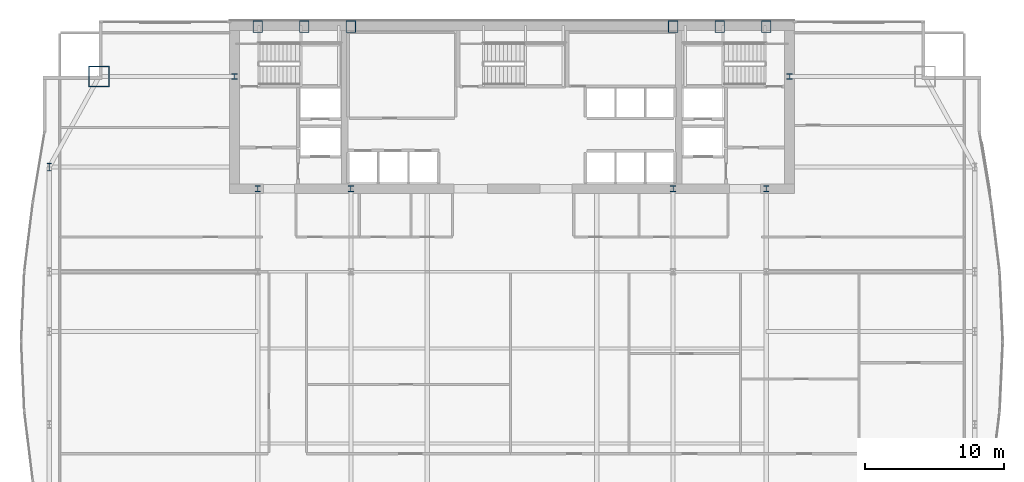
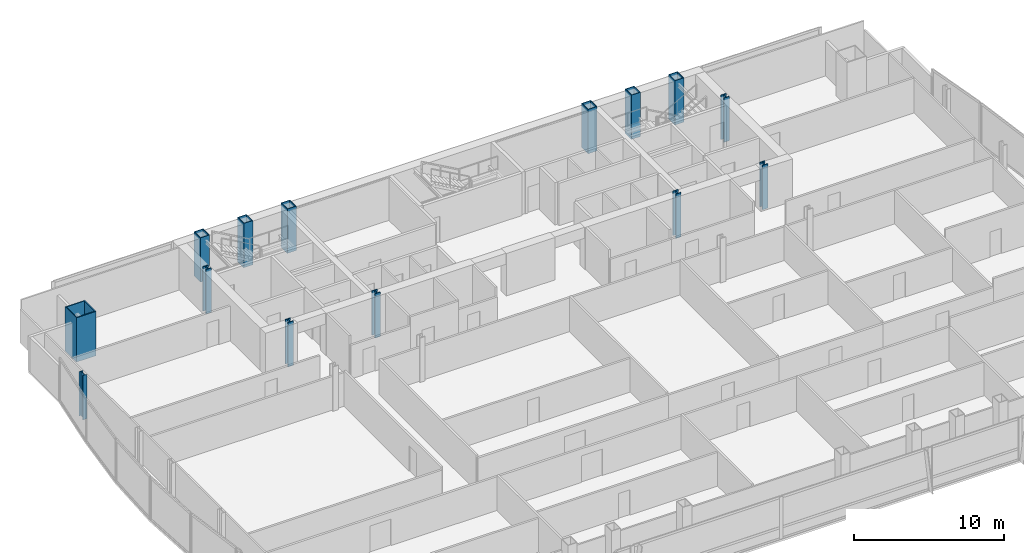
# One storey, part 3 of 31: 14 columns.
"""IFC4 building model written with IfcOpenShell, lengths in metres."""

from ifc_helpers import new_model, si_unit, direction, frame, origin, origin_2d, place, context, subcontext, project, spatial, hollow_rectangle, i_section, extrude, material, material_profile, profile_set, type_object, element, save


model = new_model("IFC4")

# Units and contexts
model_context = context("Model", 3, precision=1e-05, world=origin(), true_north=direction((0.0, 1.0)))
body_context = subcontext(model_context, "Body", "Model", "MODEL_VIEW")
ifc_project = project(units=[si_unit("LENGTHUNIT", "METRE"), si_unit("AREAUNIT", "SQUARE_METRE"), si_unit("VOLUMEUNIT", "CUBIC_METRE"), si_unit("PLANEANGLEUNIT", "RADIAN"), si_unit("MASSUNIT", "GRAM", prefix="KILO")], contexts=[model_context])

# Site, building, storey
site_placement = place(None, origin())
site = spatial("IfcSite", under=ifc_project, at=site_placement, CompositionType="ELEMENT")
building_placement = place(site_placement, origin())
building = spatial("IfcBuilding", under=site, at=building_placement, Name="Khoronbel Lancet Exchange", CompositionType="ELEMENT")
storey_placement = place(building_placement, frame((0.0, 0.0, 121.800048828125)))
storey = spatial("IfcBuildingStorey", under=building, at=storey_placement, Name="L29", CompositionType="ELEMENT", Elevation=121.800048828125)

# Columns
ifc_material_1 = material(Name="Steel S460", Category="steel")
ifc_material_profile_1 = material_profile(ifc_material_1, hollow_rectangle(XDim=0.699951171875, YDim=0.85009765625, WallThickness=0.050048828125, at=origin_2d()), Name="BOX 850x700x50")
ifc_profile_set_1 = profile_set([ifc_material_profile_1], Name="Steel S460")
column_type_1 = type_object("IfcColumnType", Name="COL-EC2", PredefinedType="COLUMN", material=ifc_profile_set_1)
for number, where, z_axis, x_axis, name in (
    (1, (18.22509765625, 53.280029296875, 0.0), (0.0, 0.0, 1.0), (1.0, 0.0, 0.0), "Structural column NC-W1 L29"),
    (2, (21.5625, 53.280029296875, 0.0), (0.0, 0.0, 1.0), (1.0, 0.0, 0.0), "Structural column NC-WM L29"),
    (3, (24.89990234375, 53.280029296875, 0.0), (0.0, 0.0, 1.0), (1.0, 0.0, 0.0), "Structural column NC-W2 L29"),
    (4, (48.0, 53.280029296875, 0.0), (0.0, 0.0, 1.0), (1.0, 0.0, 0.0), "Structural column NC-E1 L29"),
    (5, (51.33740234375, 53.280029296875, 0.0), (0.0, 0.0, 1.0), (1.0, 0.0, 0.0), "Structural column NC-EM L29"),
    (6, (54.675048828125, 53.280029296875, 0.0), (0.0, 0.0, 1.0), (1.0, 0.0, 0.0), "Structural column NC-E2 L29"),
):
    element("IfcColumn", number, at=place(storey_placement, frame(where, z_axis=z_axis, x_axis=x_axis)), inside=storey, type_object=column_type_1, Name=name, PredefinedType="COLUMN", context=body_context, shape_type="SweptSolid", body=[
        extrude(hollow_rectangle(XDim=0.699951171875, YDim=0.85009765625, WallThickness=0.050048828125, at=origin_2d()), origin(), (0.0, 0.0, 1.0), 3.599853515625),
    ])
ifc_material_profile_2 = material_profile(ifc_material_1, i_section(OverallWidth=0.416015625, OverallDepth=0.446044921875, WebThickness=0.0390625, FlangeThickness=0.062744140625, at=origin_2d()), Name="HD 400x509")
ifc_profile_set_2 = profile_set([ifc_material_profile_2], Name="Steel S460")
column_type_2 = type_object("IfcColumnType", Name="COL-IC2", PredefinedType="COLUMN", material=ifc_profile_set_2)
for number, where, z_axis, x_axis, name in (
    (7, (16.550048828125, 49.699951171875, 0.0), (0.0, 0.0, 1.0), (1.0, 0.0, 0.0), "Core-flank plumb transfer column CFW L29"),
    (8, (56.35009765625, 49.699951171875, 0.0), (0.0, 0.0, 1.0), (1.0, 0.0, 0.0), "Core-flank plumb transfer column CFE L29"),
    (9, (18.22509765625, 41.64990234375, 0.0), (0.0, 0.0, 1.0), (1.0, 0.0, 0.0), "Core-embedded steel column CTC1 L29"),
    (10, (24.89990234375, 41.64990234375, 0.0), (0.0, 0.0, 1.0), (1.0, 0.0, 0.0), "Core-embedded steel column CTC2 L29"),
    (11, (48.0, 41.64990234375, 0.0), (0.0, 0.0, 1.0), (1.0, 0.0, 0.0), "Core-embedded steel column CTC3 L29"),
    (12, (54.675048828125, 41.64990234375, 0.0), (0.0, 0.0, 1.0), (1.0, 0.0, 0.0), "Core-embedded steel column CTC4 L29"),
):
    element("IfcColumn", number, at=place(storey_placement, frame(where, z_axis=z_axis, x_axis=x_axis)), inside=storey, type_object=column_type_2, Name=name, PredefinedType="COLUMN", context=body_context, shape_type="SweptSolid", body=[
        extrude(i_section(OverallWidth=0.416015625, OverallDepth=0.446044921875, WebThickness=0.0390625, FlangeThickness=0.062744140625, at=origin_2d()), origin(), (0.0, 0.0, 1.0), 3.599853515625),
    ])
ifc_material_2 = material(Name="Steel S355", Category="steel")
ifc_material_profile_3 = material_profile(ifc_material_2, i_section(OverallWidth=0.300048828125, OverallDepth=0.550048828125, WebThickness=0.014892578125, FlangeThickness=0.029052734375, at=origin_2d()), Name="HEB 550")
ifc_profile_set_3 = profile_set([ifc_material_profile_3], Name="Steel S355")
column_type_3 = type_object("IfcColumnType", Name="COL-LC1", PredefinedType="COLUMN", material=ifc_profile_set_3)
column_1_placement = place(storey_placement, frame((3.27001953125, 43.199951171875, 0.0), z_axis=(0.0, 0.0, 1.0), x_axis=(1.0, 0.0, 0.0)))
element("IfcColumn", 13, at=column_1_placement, inside=storey, type_object=column_type_3, Name="Structural column WC-4 L29", PredefinedType="COLUMN", context=body_context, shape_type="SweptSolid", body=[
    extrude(i_section(OverallWidth=0.300048828125, OverallDepth=0.550048828125, WebThickness=0.014892578125, FlangeThickness=0.029052734375, at=origin_2d()), origin(), (0.0, 0.0, 1.0), 3.599853515625),
])
ifc_material_profile_4 = material_profile(ifc_material_1, hollow_rectangle(XDim=1.5, YDim=1.5, WallThickness=0.070068359375, at=origin_2d()), Name="BOX 1500x1500x70")
ifc_profile_set_4 = profile_set([ifc_material_profile_4], Name="Steel S460")
column_type_4 = type_object("IfcColumnType", Name="COL-MC3", PredefinedType="COLUMN", material=ifc_profile_set_4)
column_2_placement = place(storey_placement, frame((6.85009765625, 49.699951171875, 0.0), z_axis=(0.0, 0.0, 1.0), x_axis=(1.0, 0.0, 0.0)))
element("IfcColumn", 14, at=column_2_placement, inside=storey, type_object=column_type_4, Name="Structural column MC-NW L29", PredefinedType="COLUMN", context=body_context, shape_type="SweptSolid", body=[
    extrude(hollow_rectangle(XDim=1.5, YDim=1.5, WallThickness=0.070068359375, at=origin_2d()), origin(), (0.0, 0.0, 1.0), 3.599853515625),
])

save(model, "model.ifc")
